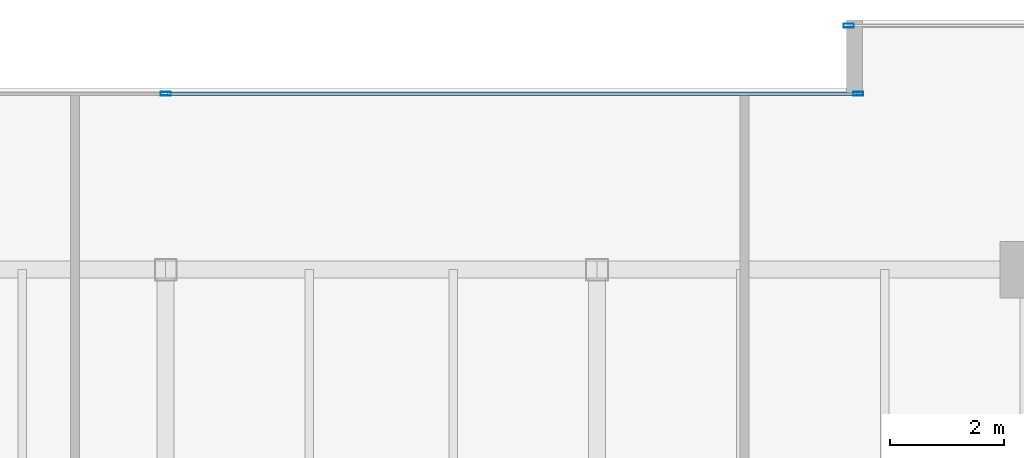
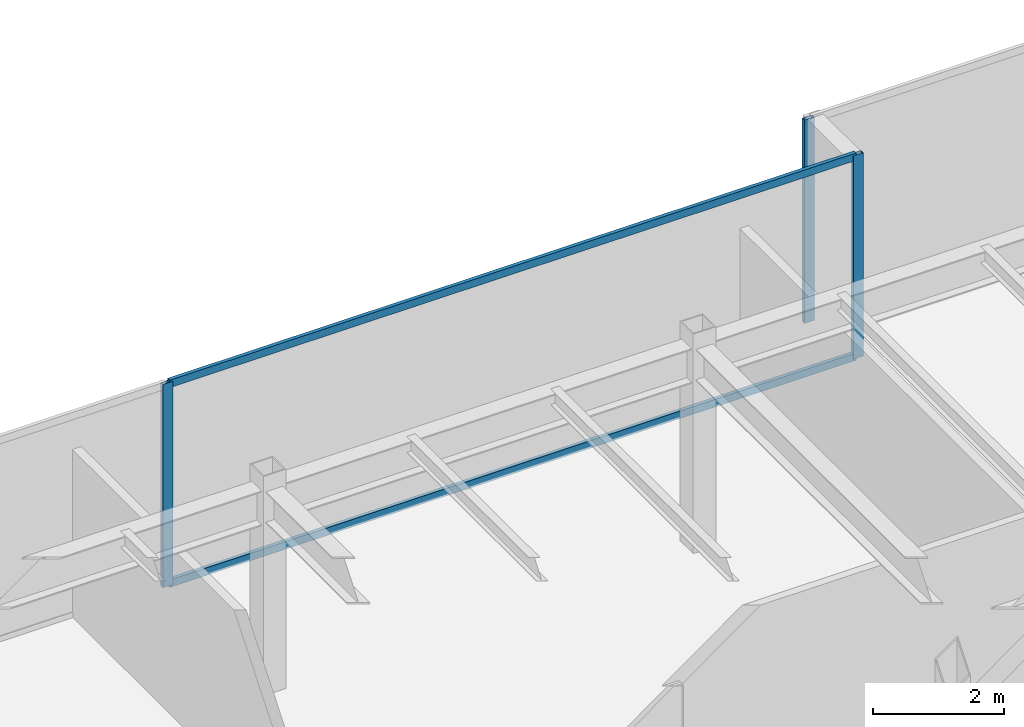
# One storey, part 19 of 33: 5 members, 2 elements without a shape of their own.
"""IFC4 building model written with IfcOpenShell, lengths in metres."""

from ifc_helpers import new_model, si_unit, direction, frame, origin, origin_2d, place, context, subcontext, project, spatial, hollow_rectangle, extrude, source, transform, mapped, material, layer, layer_set, material_profile, profile_set, type_object, type_shapes, element, aggregate, save


model = new_model("IFC4")

# Units and contexts
model_context = context("Model", 3, precision=1e-05, world=origin(), true_north=direction((0.0, 1.0)))
body_context = subcontext(model_context, "Body", "Model", "MODEL_VIEW")
ifc_project = project(units=[si_unit("LENGTHUNIT", "METRE"), si_unit("AREAUNIT", "SQUARE_METRE"), si_unit("VOLUMEUNIT", "CUBIC_METRE"), si_unit("PLANEANGLEUNIT", "RADIAN"), si_unit("MASSUNIT", "GRAM", prefix="KILO")], contexts=[model_context])

# Site, building, storey
site_placement = place(None, origin())
site = spatial("IfcSite", under=ifc_project, at=site_placement, CompositionType="ELEMENT")
building_placement = place(site_placement, origin())
building = spatial("IfcBuilding", under=site, at=building_placement, Name="Haelvirn Gate Laboratories", CompositionType="ELEMENT")
storey_placement = place(building_placement, frame((0.0, 0.0, 230.10009765625)))
storey = spatial("IfcBuildingStorey", under=building, at=storey_placement, Name="L55", CompositionType="ELEMENT", Elevation=230.10009765625)

# Curtain wall, members
ifc_material_1 = material(Name="Anodised bronze unitised aluminium & triple low-E glass", Category="aluminium")
ifc_layer = layer(ifc_material_1, 0.176025390625, Name="CW-SYS-4")
ifc_layer_set = layer_set([ifc_layer], Name="Anodised bronze unitised aluminium & triple low-E glass")
curtain_wall_type = type_object("IfcCurtainWallType", Name="CW-SYS-4", PredefinedType="NOTDEFINED", material=ifc_layer_set)
curtain_wall_1_placement = place(storey_placement, origin())
curtain_wall_1 = element("IfcCurtainWall", 1, at=curtain_wall_1_placement, inside=storey, type_object=curtain_wall_type, Name="L55 Unitised Curtain Wall CW-L55-P0-E12-1", PredefinedType="NOTDEFINED")
ifc_material_2 = material(Name="Extruded aluminium 6063-T6 (anodised bronze)", Category="aluminium")
ifc_material_profile_1 = material_profile(ifc_material_2, hollow_rectangle(XDim=0.06494140625, YDim=0.139892578125, WallThickness=0.00390625, at=origin_2d()), Name="CWT-140x65x4")
ifc_profile_set_1 = profile_set([ifc_material_profile_1], Name="Extruded aluminium 6063-T6 (anodised bronze)")
member_type_1 = type_object("IfcMemberType", Name="CWT-T140", PredefinedType="USERDEFINED", material=ifc_profile_set_1)
shared_shape_1 = source(origin(), body_context, "Body", "SweptSolid", [
    extrude(hollow_rectangle(XDim=0.06494140625, YDim=0.139892578125, WallThickness=0.00390625, at=origin_2d()), origin(), (0.0, 0.0, 1.0), 12.135009765625),
])
type_shapes(member_type_1, [shared_shape_1])
member_1_placement = place(storey_placement, frame((37.43505859375, 44.699951171875, 0.032470703125), z_axis=(1.0, 0.0, 0.0), x_axis=(0.0, 1.0, 0.0)))
member_1 = element("IfcMember", 2, at=member_1_placement, type_object=member_type_1, Name="CW4 transom 2.1", ObjectType="TRANSOM", PredefinedType="USERDEFINED", context=body_context, shape_type="MappedRepresentation", body=[
    mapped(shared_shape_1, transform((0.0, 0.0, 0.0), scale=1.0)),
])
member_2_placement = place(storey_placement, frame((37.43505859375, 44.699951171875, 3.767333984375), z_axis=(1.0, 0.0, 0.0), x_axis=(0.0, 1.0, 0.0)))
member_2 = element("IfcMember", 3, at=member_2_placement, type_object=member_type_1, Name="CW4 transom 2.2", ObjectType="TRANSOM", PredefinedType="USERDEFINED", context=body_context, shape_type="MappedRepresentation", body=[
    mapped(shared_shape_1, transform((0.0, 0.0, 0.0), scale=1.0)),
])

# Curtain wall, member
curtain_wall_2_placement = place(storey_placement, origin())
curtain_wall_2 = element("IfcCurtainWall", 4, at=curtain_wall_2_placement, inside=storey, type_object=curtain_wall_type, Name="L55 Unitised Curtain Wall CW-L55-P0-E10-1", PredefinedType="NOTDEFINED")
ifc_material_profile_2 = material_profile(ifc_material_2, hollow_rectangle(XDim=0.070068359375, YDim=0.179931640625, WallThickness=0.0048828125, at=origin_2d()), Name="CWM-180x70x5")
ifc_profile_set_2 = profile_set([ifc_material_profile_2], Name="Extruded aluminium 6063-T6 (anodised bronze)")
member_type_2 = type_object("IfcMemberType", Name="CWM-T180", PredefinedType="MULLION", material=ifc_profile_set_2)
shared_shape_2 = source(origin(), body_context, "Body", "SweptSolid", [
    extrude(hollow_rectangle(XDim=0.070068359375, YDim=0.179931640625, WallThickness=0.0048828125, at=origin_2d()), origin(), (0.0, 0.0, 1.0), 3.7998046875),
])
type_shapes(member_type_2, [shared_shape_2])
member_3_placement = place(storey_placement, frame((49.43505859375, 45.89990234375, 0.0), z_axis=(0.0, 0.0, 1.0), x_axis=(0.0, 1.0, 0.0)))
member_3 = element("IfcMember", 5, at=member_3_placement, type_object=member_type_2, Name="CW4 mullion 1", PredefinedType="MULLION", context=body_context, shape_type="MappedRepresentation", body=[
    mapped(shared_shape_2, transform((0.0, 0.0, 0.0), scale=1.0)),
])
aggregate(curtain_wall_2, [member_3])

# Member
member_4_placement = place(storey_placement, frame((37.39990234375, 44.699951171875, 0.0), z_axis=(0.0, 0.0, 1.0), x_axis=(0.0, 1.0, 0.0)))
member_4 = element("IfcMember", 6, at=member_4_placement, type_object=member_type_2, Name="CW4 mullion 2", PredefinedType="MULLION", context=body_context, shape_type="MappedRepresentation", body=[
    mapped(shared_shape_2, transform((0.0, 0.0, 0.0), scale=1.0)),
])

member_5_placement = place(storey_placement, frame((49.60498046875, 44.699951171875, 0.0), z_axis=(0.0, 0.0, 1.0), x_axis=(0.0, 1.0, 0.0)))
member_5 = element("IfcMember", 7, at=member_5_placement, type_object=member_type_2, Name="CW4 mullion 3", PredefinedType="MULLION", context=body_context, shape_type="MappedRepresentation", body=[
    mapped(shared_shape_2, transform((0.0, 0.0, 0.0), scale=1.0)),
])

aggregate(curtain_wall_1, [member_4, member_5, member_1, member_2])

save(model, "model.ifc")
